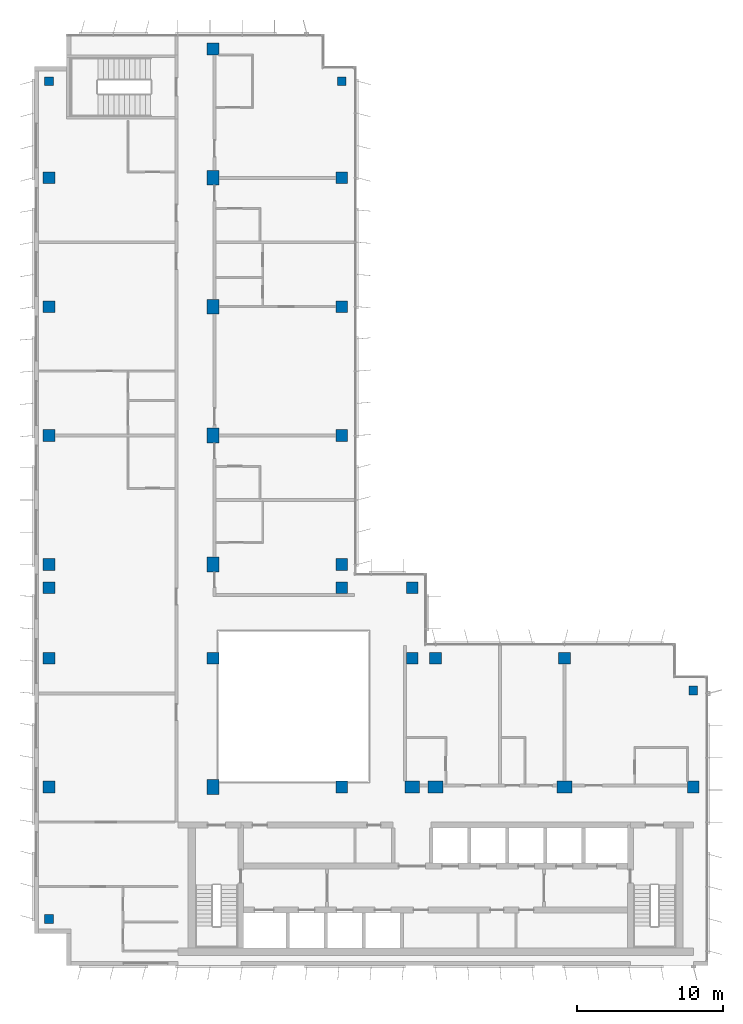
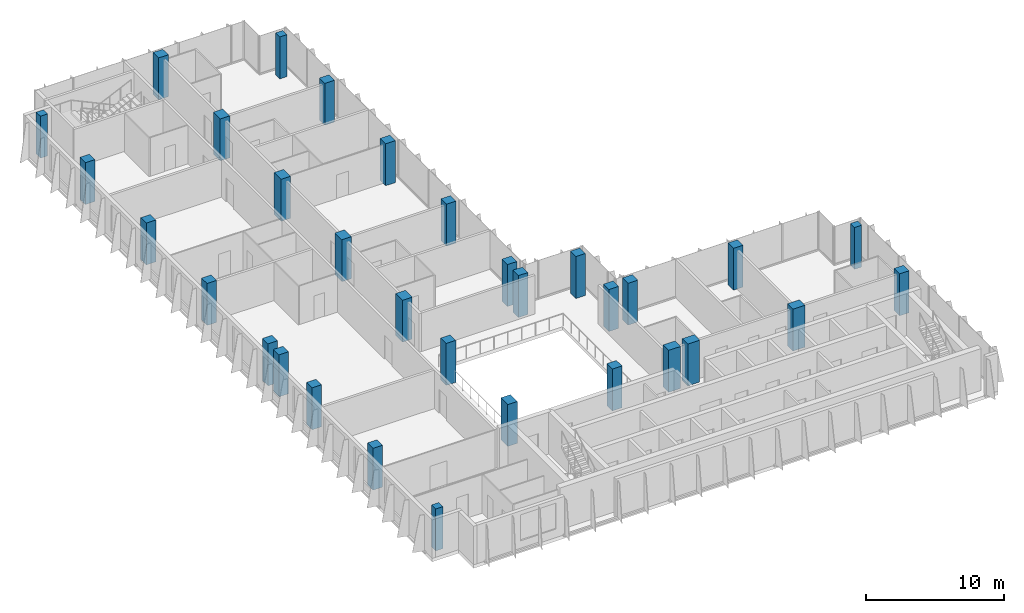
# One storey, part 1 of 15: 32 columns.
"""IFC4 building model written with IfcOpenShell, lengths in metres."""

from ifc_helpers import new_model, si_unit, direction, frame, origin, origin_2d, place, context, subcontext, project, spatial, rectangle, extrude, material, material_profile, profile_set, type_object, element, save


model = new_model("IFC4")

# Units and contexts
model_context = context("Model", 3, precision=1e-05, world=origin(), true_north=direction((0.0, 1.0)))
body_context = subcontext(model_context, "Body", "Model", "MODEL_VIEW")
ifc_project = project(units=[si_unit("LENGTHUNIT", "METRE"), si_unit("AREAUNIT", "SQUARE_METRE"), si_unit("VOLUMEUNIT", "CUBIC_METRE"), si_unit("PLANEANGLEUNIT", "RADIAN"), si_unit("MASSUNIT", "GRAM", prefix="KILO")], contexts=[model_context])

# Site, building, storey
site_placement = place(None, origin())
site = spatial("IfcSite", under=ifc_project, at=site_placement, CompositionType="ELEMENT")
building_placement = place(site_placement, origin())
building = spatial("IfcBuilding", under=site, at=building_placement, Name="Kemantara Hotel Tower", CompositionType="ELEMENT")
storey_placement = place(building_placement, frame((0.0, 0.0, 237.60009765625)))
storey = spatial("IfcBuildingStorey", under=building, at=storey_placement, Name="L59", CompositionType="ELEMENT", Elevation=237.60009765625)

# Columns
ifc_material = material(Name="Concrete fc 60 MPa", Category="concrete")
ifc_material_profile_1 = material_profile(ifc_material, rectangle(XDim=1.0, YDim=0.800048828125, at=origin_2d()), Name="RC 1000X800")
ifc_profile_set_1 = profile_set([ifc_material_profile_1], Name="Concrete fc 60 MPa")
column_type_1 = type_object("IfcColumnType", Name="RC COLUMN 1000X800 FC60", PredefinedType="COLUMN", material=ifc_profile_set_1)
for number, where, z_axis, x_axis, name in (
    (1, (12.199951171875, 12.199951171875, 0.0), (0.0, 0.0, 1.0), (0.0, 1.0, 0.0), "COLUMN 2A/BA L59"),
    (2, (12.199951171875, 27.39990234375, 0.0), (0.0, 0.0, 1.0), (0.0, 1.0, 0.0), "COLUMN 2A/D L59"),
    (3, (12.199951171875, 36.199951171875, 0.0), (0.0, 0.0, 1.0), (0.0, 1.0, 0.0), "COLUMN 2A/E L59"),
    (4, (12.199951171875, 45.0, 0.0), (0.0, 0.0, 1.0), (0.0, 1.0, 0.0), "COLUMN 2A/F L59"),
    (5, (12.199951171875, 53.800048828125, 0.0), (0.0, 0.0, 1.0), (0.0, 1.0, 0.0), "COLUMN 2A/G L59"),
    (6, (25.800048828125, 12.199951171875, 0.0), (0.0, 0.0, 1.0), (1.0, 0.0, 0.0), "COLUMN 3A/BA L59"),
    (7, (27.39990234375, 12.199951171875, 0.0), (0.0, 0.0, 1.0), (1.0, 0.0, 0.0), "COLUMN 4/BA L59"),
    (8, (36.199951171875, 12.199951171875, 0.0), (0.0, 0.0, 1.0), (1.0, 0.0, 0.0), "COLUMN 5/BA L59"),
):
    element("IfcColumn", number, at=place(storey_placement, frame(where, z_axis=z_axis, x_axis=x_axis)), inside=storey, type_object=column_type_1, Name=name, PredefinedType="COLUMN", context=body_context, shape_type="SweptSolid", body=[
        extrude(rectangle(XDim=1.0, YDim=0.800048828125, at=origin_2d()), origin(), (0.0, 0.0, 1.0), 3.699951171875),
    ])
ifc_material_profile_2 = material_profile(ifc_material, rectangle(XDim=0.60009765625, YDim=0.60009765625, at=origin_2d()), Name="RC 600X600")
ifc_profile_set_2 = profile_set([ifc_material_profile_2], Name="Concrete fc 60 MPa")
column_type_2 = type_object("IfcColumnType", Name="RC COLUMN 600X600 FC60", PredefinedType="COLUMN", material=ifc_profile_set_2)
for number, where, z_axis, x_axis, name in (
    (9, (1.0, 3.199951171875, 0.0), (0.0, 0.0, 1.0), (1.0, 0.0, 0.0), "COLUMN notch corner L59"),
    (10, (1.0, 60.39990234375, 0.0), (0.0, 0.0, 1.0), (1.0, 0.0, 0.0), "COLUMN notch corner L59"),
    (11, (21.0, 60.39990234375, 0.0), (0.0, 0.0, 1.0), (1.0, 0.0, 0.0), "COLUMN notch corner L59"),
    (12, (45.0, 18.800048828125, 0.0), (0.0, 0.0, 1.0), (1.0, 0.0, 0.0), "COLUMN notch corner L59"),
):
    element("IfcColumn", number, at=place(storey_placement, frame(where, z_axis=z_axis, x_axis=x_axis)), inside=storey, type_object=column_type_2, Name=name, PredefinedType="COLUMN", context=body_context, shape_type="SweptSolid", body=[
        extrude(rectangle(XDim=0.60009765625, YDim=0.60009765625, at=origin_2d()), origin(), (0.0, 0.0, 1.0), 3.699951171875),
    ])
ifc_material_profile_3 = material_profile(ifc_material, rectangle(XDim=0.800048828125, YDim=0.800048828125, at=origin_2d()), Name="RC 800X800")
ifc_profile_set_3 = profile_set([ifc_material_profile_3], Name="Concrete fc 60 MPa")
column_type_3 = type_object("IfcColumnType", Name="RC COLUMN 800X800 FC60", PredefinedType="COLUMN", material=ifc_profile_set_3)
for number, where, z_axis, x_axis, name in (
    (13, (1.0, 12.199951171875, 0.0), (0.0, 0.0, 1.0), (1.0, 0.0, 0.0), "COLUMN 1/BA L59"),
    (14, (1.0, 21.0, 0.0), (0.0, 0.0, 1.0), (1.0, 0.0, 0.0), "COLUMN 1/C L59"),
    (15, (1.0, 25.800048828125, 0.0), (0.0, 0.0, 1.0), (1.0, 0.0, 0.0), "COLUMN 1/CA L59"),
    (16, (1.0, 27.39990234375, 0.0), (0.0, 0.0, 1.0), (1.0, 0.0, 0.0), "COLUMN 1/D L59"),
    (17, (1.0, 36.199951171875, 0.0), (0.0, 0.0, 1.0), (1.0, 0.0, 0.0), "COLUMN 1/E L59"),
    (18, (1.0, 45.0, 0.0), (0.0, 0.0, 1.0), (1.0, 0.0, 0.0), "COLUMN 1/F L59"),
    (19, (1.0, 53.800048828125, 0.0), (0.0, 0.0, 1.0), (1.0, 0.0, 0.0), "COLUMN 1/G L59"),
    (20, (12.199951171875, 21.0, 0.0), (0.0, 0.0, 1.0), (1.0, 0.0, 0.0), "COLUMN 2A/C L59"),
    (21, (12.199951171875, 62.60009765625, 0.0), (0.0, 0.0, 1.0), (1.0, 0.0, 0.0), "COLUMN 2A/H L59"),
    (22, (21.0, 12.199951171875, 0.0), (0.0, 0.0, 1.0), (1.0, 0.0, 0.0), "COLUMN 3/BA L59"),
    (23, (21.0, 25.800048828125, 0.0), (0.0, 0.0, 1.0), (1.0, 0.0, 0.0), "COLUMN 3/CA L59"),
    (24, (21.0, 27.39990234375, 0.0), (0.0, 0.0, 1.0), (1.0, 0.0, 0.0), "COLUMN 3/D L59"),
    (25, (21.0, 36.199951171875, 0.0), (0.0, 0.0, 1.0), (1.0, 0.0, 0.0), "COLUMN 3/E L59"),
    (26, (21.0, 45.0, 0.0), (0.0, 0.0, 1.0), (1.0, 0.0, 0.0), "COLUMN 3/F L59"),
    (27, (21.0, 53.800048828125, 0.0), (0.0, 0.0, 1.0), (1.0, 0.0, 0.0), "COLUMN 3/G L59"),
    (28, (25.800048828125, 21.0, 0.0), (0.0, 0.0, 1.0), (1.0, 0.0, 0.0), "COLUMN 3A/C L59"),
    (29, (25.800048828125, 25.800048828125, 0.0), (0.0, 0.0, 1.0), (1.0, 0.0, 0.0), "COLUMN 3A/CA L59"),
    (30, (27.39990234375, 21.0, 0.0), (0.0, 0.0, 1.0), (1.0, 0.0, 0.0), "COLUMN 4/C L59"),
    (31, (36.199951171875, 21.0, 0.0), (0.0, 0.0, 1.0), (1.0, 0.0, 0.0), "COLUMN 5/C L59"),
    (32, (45.0, 12.199951171875, 0.0), (0.0, 0.0, 1.0), (1.0, 0.0, 0.0), "COLUMN 6/BA L59"),
):
    element("IfcColumn", number, at=place(storey_placement, frame(where, z_axis=z_axis, x_axis=x_axis)), inside=storey, type_object=column_type_3, Name=name, PredefinedType="COLUMN", context=body_context, shape_type="SweptSolid", body=[
        extrude(rectangle(XDim=0.800048828125, YDim=0.800048828125, at=origin_2d()), origin(), (0.0, 0.0, 1.0), 3.699951171875),
    ])

save(model, "model.ifc")
